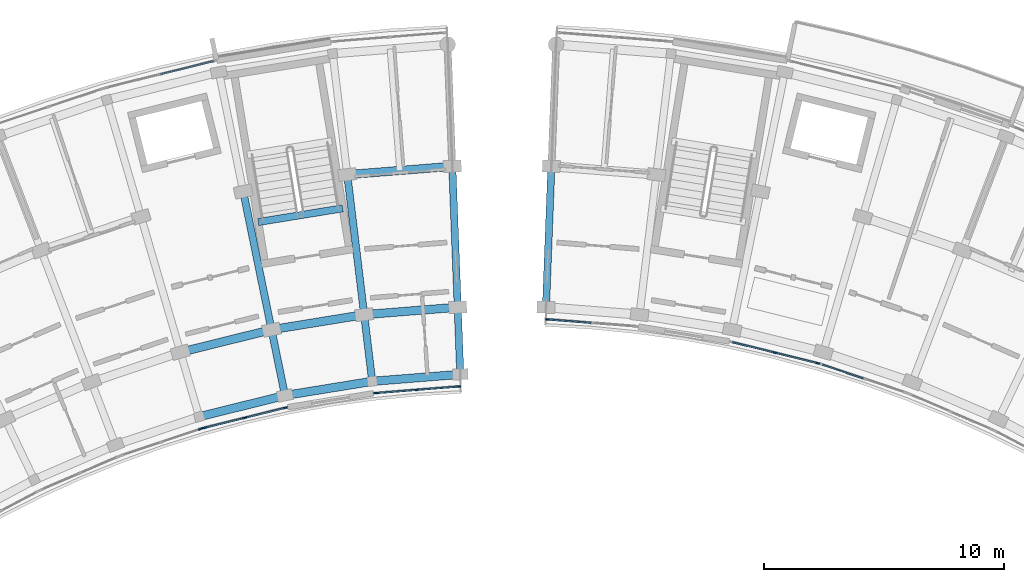
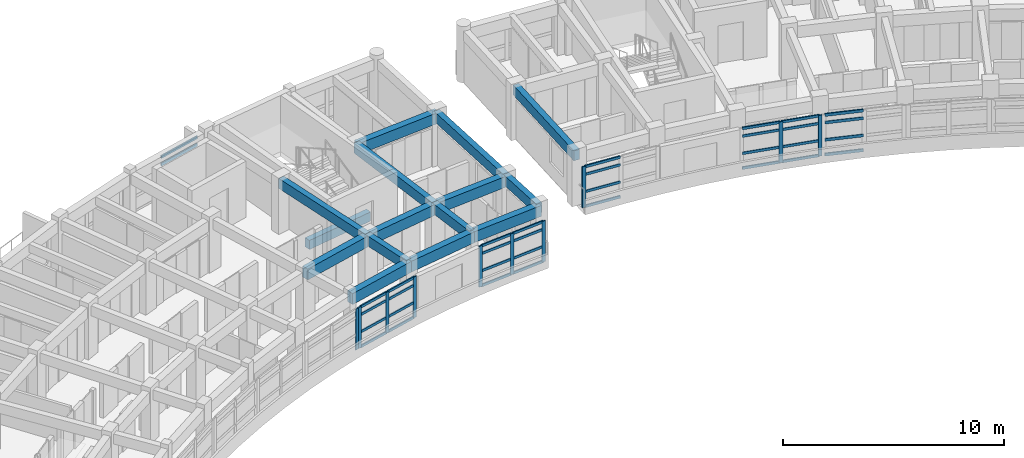
# One storey, part 12 of 40: 44 members, 15 beams, 7 elements without a shape of their own.
"""IFC4 building model written with IfcOpenShell, lengths in metres."""

import ifcopenshell
import ifcopenshell.guid

model = None  # the IFC model being written
_history = None  # IfcOwnerHistory: only IFC2X3 demands one
_inside = {}  # id of a spatial element -> (the spatial element, [elements in it])
_under = {}  # id of a project, library or spatial element -> (it, [spatial elements below it])
_declared = {}  # id of a project -> (the project, [libraries it declares])
_typed = {}  # id of a type object -> (the type object, [elements of that type])
_made_of = {}  # id of a material, layer set ... -> (it, [elements and type objects made of it])


def new_model(schema):
    """Start an empty IFC model of exactly this schema.

    Asked for "IFC4X3", IfcOpenShell would pick the latest addendum, in which some entities
    have other attributes; the version numbers below select the first issue.
    IFC2X3 requires an IfcOwnerHistory on every rooted entity: one is made here for all.
    """
    global model, _history
    if schema == "IFC4X3":
        model = ifcopenshell.file(schema_version=(4, 3, 0, 0))
    else:
        model = ifcopenshell.file(schema=schema)
    _inside.clear()
    _under.clear()
    _declared.clear()
    _typed.clear()
    _made_of.clear()
    _history = None
    if model.schema == "IFC2X3":
        org = make("IfcOrganization", Name="unknown")
        user = make(
            "IfcPersonAndOrganization",
            ThePerson=make("IfcPerson", FamilyName="unknown"),
            TheOrganization=org,
        )
        app = make(
            "IfcApplication",
            ApplicationDeveloper=org,
            Version="unknown",
            ApplicationFullName="unknown",
            ApplicationIdentifier="unknown",
        )
        _history = make(
            "IfcOwnerHistory",
            OwningUser=user,
            OwningApplication=app,
            ChangeAction="ADDED",
            CreationDate=0,
        )
    return model


def make(cls, **values):
    """One entity of the class cls with the attributes given. An attribute that is None is left unset."""
    return model.create_entity(
        cls, **{name: value for name, value in values.items() if value is not None}
    )


def rooted(cls, **values):
    """An entity with a GlobalId (a new one), such as an element, a storey or a relation."""
    return make(cls, GlobalId=ifcopenshell.guid.new(), OwnerHistory=_history, **values)


def si_unit(unit_type, name, prefix=None):
    """IfcSIUnit, for example si_unit("LENGTHUNIT", "METRE", prefix="MILLI")."""
    return make("IfcSIUnit", UnitType=unit_type, Prefix=prefix, Name=name)


def assignment(units):
    """IfcUnitAssignment: the units of a project."""
    return None if units is None else make("IfcUnitAssignment", Units=units)


def point(xyz):
    """IfcCartesianPoint."""
    return None if xyz is None else make("IfcCartesianPoint", Coordinates=xyz)


def direction(xyz):
    """IfcDirection."""
    return None if xyz is None else make("IfcDirection", DirectionRatios=xyz)


def frame(location, z_axis=None, x_axis=None):
    """IfcAxis2Placement3D, a coordinate frame: its origin and axes. An axis left out is left unset."""
    return make(
        "IfcAxis2Placement3D",
        Location=point(location),
        Axis=direction(z_axis),
        RefDirection=direction(x_axis),
    )


def frame_2d(location, x_axis=None):
    """IfcAxis2Placement2D, a coordinate frame in the plane: its origin and x axis."""
    return make(
        "IfcAxis2Placement2D", Location=point(location), RefDirection=direction(x_axis)
    )


def origin():
    """The frame at (0, 0, 0) with its axes left unset."""
    return frame((0.0, 0.0, 0.0))


def origin_2d():
    """The frame at (0, 0) in the plane with its x axis left unset."""
    return frame_2d((0.0, 0.0))


def place(relative_to, where):
    """IfcLocalPlacement: puts the frame where relative to a parent placement (None: the world)."""
    return make(
        "IfcLocalPlacement", PlacementRelTo=relative_to, RelativePlacement=where
    )


def context(
    kind, dimensions, precision=None, world=None, true_north=None, identifier=None
):
    """IfcGeometricRepresentationContext, for example the 3D "Model" context."""
    return make(
        "IfcGeometricRepresentationContext",
        ContextIdentifier=identifier,
        ContextType=kind,
        CoordinateSpaceDimension=dimensions,
        Precision=precision,
        WorldCoordinateSystem=world,
        TrueNorth=true_north,
    )


def subcontext(parent, identifier, kind, view, scale=None):
    """IfcGeometricRepresentationSubContext, for example "Body" below "Model"."""
    return make(
        "IfcGeometricRepresentationSubContext",
        ContextIdentifier=identifier,
        ContextType=kind,
        ParentContext=parent,
        TargetScale=scale,
        TargetView=view,
    )


def project(units=None, contexts=None):
    """IfcProject with its units and contexts."""
    return rooted(
        "IfcProject",
        Name="project",
        RepresentationContexts=contexts,
        UnitsInContext=assignment(units),
    )


def spatial(cls, under=None, at=None, **own):
    """A site, building, storey or space (cls), placed at a placement, below another one or the project."""
    s = rooted(cls, ObjectPlacement=at, **own)
    if under is not None:
        _under.setdefault(under.id(), (under, []))[1].append(s)
    return s


def profile(cls, at=None, kind="AREA", **sizes):
    """A parametric profile (cls). Its sizes go by their IFC names, for example OverallWidth=200.0."""
    return make(cls, ProfileType=kind, Position=at, **sizes)


def rectangle(**sizes):
    """IfcRectangleProfileDef."""
    return profile("IfcRectangleProfileDef", **sizes)


def extrude(swept, where, along, depth):
    """IfcExtrudedAreaSolid: the profile swept, set in the frame where, extruded along a direction by depth."""
    return make(
        "IfcExtrudedAreaSolid",
        SweptArea=swept,
        Position=where,
        ExtrudedDirection=direction(along),
        Depth=depth,
    )


def shape(context_of_items, identifier, shape_type, items):
    """IfcShapeRepresentation: the items that make up one representation, for example the "Body"."""
    return make(
        "IfcShapeRepresentation",
        ContextOfItems=context_of_items,
        RepresentationIdentifier=identifier,
        RepresentationType=shape_type,
        Items=items,
    )


def material(Name=None, Category=None):
    """IfcMaterial."""
    return make("IfcMaterial", Name=Name, Category=Category)


def material_profile(
    of_material, cross_section, Name=None, Category=None, Priority=None
):
    """IfcMaterialProfile: a cross section and its material."""
    return make(
        "IfcMaterialProfile",
        Name=Name,
        Material=of_material,
        Profile=cross_section,
        Priority=Priority,
        Category=Category,
    )


def profile_set(profiles, Name=None, composite=None):
    """IfcMaterialProfileSet."""
    return make(
        "IfcMaterialProfileSet",
        Name=Name,
        MaterialProfiles=profiles,
        CompositeProfile=composite,
    )


def made_of(thing, what):
    """Note that an element or type object is made of a material, layer set ...; save() writes the relation."""
    if what is not None:
        _made_of.setdefault(what.id(), (what, []))[1].append(thing)
    return thing


def type_object(cls, material=None, **own):
    """A type object (cls), such as IfcWallType, which elements share."""
    return made_of(rooted(cls, **own), material)


def element(
    cls,
    number,
    at=None,
    inside=None,
    cuts=None,
    type_object=None,
    material=None,
    context=None,
    identifier="Body",
    shape_type=None,
    held_by="IfcProductDefinitionShape",
    body=None,
    shapes=None,
    **own,
):
    """One element of the class cls, such as IfcWall. Its Tag is "e" and its number.

    at: its placement. inside: the storey or other place that contains it. cuts: it is an
    opening in that element (IfcRelVoidsElement). A single representation is given by context,
    identifier, shape_type and body (its items); several are given by shapes. held_by: the class
    of the entity that holds the representations. save() writes the other relations.
    """
    e = rooted(cls, Tag="e%d" % number, ObjectPlacement=at, **own)
    if body is not None:
        shapes = [shape(context, identifier, shape_type, body)]
    if shapes is not None:
        e.Representation = make(held_by, Representations=shapes)
    if inside is not None:
        _inside.setdefault(inside.id(), (inside, []))[1].append(e)
    if cuts is not None:
        rooted(
            "IfcRelVoidsElement", RelatingBuildingElement=cuts, RelatedOpeningElement=e
        )
    if type_object is not None:
        _typed.setdefault(type_object.id(), (type_object, []))[1].append(e)
    return made_of(e, material)


def aggregate(whole, parts):
    """IfcRelAggregates: a whole, such as a stair, and the parts it consists of."""
    return rooted("IfcRelAggregates", RelatingObject=whole, RelatedObjects=parts)


def save(model, path):
    """Write the relations noted so far, then the file.

    IfcRelAggregates (storeys below a building ...), IfcRelContainedInSpatialStructure (elements
    in a storey), IfcRelDefinesByType, IfcRelAssociatesMaterial and IfcRelDeclares: one each for
    every whole, place, type object, material and project.
    """
    for whole, parts in _under.values():
        aggregate(whole, parts)
    for where, things in _inside.values():
        rooted(
            "IfcRelContainedInSpatialStructure",
            RelatedElements=things,
            RelatingStructure=where,
        )
    for kind, things in _typed.values():
        rooted("IfcRelDefinesByType", RelatedObjects=things, RelatingType=kind)
    for what, things in _made_of.values():
        rooted("IfcRelAssociatesMaterial", RelatedObjects=things, RelatingMaterial=what)
    for by, libraries in _declared.values():
        rooted("IfcRelDeclares", RelatingContext=by, RelatedDefinitions=libraries)
    model.write(path)


model = new_model("IFC4")

# Units and contexts
model_context = context("Model", 3, precision=1e-05, world=origin(), true_north=direction((0.0, 1.0)))
body_context = subcontext(model_context, "Body", "Model", "MODEL_VIEW")
ifc_project = project(units=[si_unit("LENGTHUNIT", "METRE"), si_unit("AREAUNIT", "SQUARE_METRE"), si_unit("VOLUMEUNIT", "CUBIC_METRE"), si_unit("PLANEANGLEUNIT", "RADIAN"), si_unit("MASSUNIT", "GRAM", prefix="KILO")], contexts=[model_context])

# Site, building, storey
site_placement = place(None, origin())
site = spatial("IfcSite", under=ifc_project, at=site_placement, CompositionType="ELEMENT")
building_placement = place(site_placement, origin())
building = spatial("IfcBuilding", under=site, at=building_placement, Name="Zimvara Arc Housing Community", CompositionType="ELEMENT")
storey_placement = place(building_placement, frame((0.0, 0.0, 32.89990234375)))
storey = spatial("IfcBuildingStorey", under=building, at=storey_placement, Name="L10", CompositionType="ELEMENT", Elevation=32.89990234375)

# Beams
ifc_material_1 = material(Name="Concrete C40/50", Category="concrete")
ifc_material_profile_1 = material_profile(ifc_material_1, rectangle(XDim=0.300048828125, YDim=0.5, at=origin_2d()), Name="RC 300x500")
ifc_profile_set_1 = profile_set([ifc_material_profile_1], Name="Concrete C40/50")
beam_type_1 = type_object("IfcBeamType", Name="BM-RC-300x500", PredefinedType="BEAM", material=ifc_profile_set_1)
beam_1_placement = place(storey_placement, frame((38.3662109375, 96.509033203125, -0.25), z_axis=(-0.987080057935, -0.160227835371, 0.0), x_axis=(0.160227835371, -0.987080057935, 0.0)))
element("IfcBeam", 1, at=beam_1_placement, inside=storey, type_object=beam_type_1, Name="bm:stair_trim:ST-A2:L10:near", PredefinedType="BEAM", context=body_context, shape_type="SweptSolid", body=[
    extrude(rectangle(XDim=0.300048828125, YDim=0.5, at=origin_2d()), origin(), (0.0, 0.0, 1.0), 3.570068359375),
])
ifc_material_2 = material(Name="Concrete C40/50", Category="concrete")
ifc_material_profile_2 = material_profile(ifc_material_2, rectangle(XDim=0.300048828125, YDim=0.550048828125, at=origin_2d()), Name="RC 300x550")
ifc_profile_set_2 = profile_set([ifc_material_profile_2], Name="Concrete C40/50")
beam_type_2 = type_object("IfcBeamType", Name="BM-RC-300x550", PredefinedType="BEAM", material=ifc_profile_set_2)
beam_2_placement = place(storey_placement, frame((35.958251953125, 88.704833984375, 2.585205078125), z_axis=(-0.20037341071, 0.979719600845, 0.0), x_axis=(-0.979719600845, -0.20037341071, 0.0)))
element("IfcBeam", 2, at=beam_2_placement, inside=storey, type_object=beam_type_2, Name="bm:blkA:L10:rad:b8:r01", PredefinedType="BEAM", context=body_context, shape_type="SweptSolid", body=[
    extrude(rectangle(XDim=0.300048828125, YDim=0.550048828125, at=origin_2d()), origin(), (0.0, 0.0, 1.0), 2.800048828125),
])
beam_3_placement = place(storey_placement, frame((35.397216796875, 91.447998046875, 2.585205078125), z_axis=(-0.200417973989, 0.979710485655, 0.0), x_axis=(-0.979710485655, -0.200417973989, 0.0)))
element("IfcBeam", 3, at=beam_3_placement, inside=storey, type_object=beam_type_2, Name="bm:blkA:L10:rad:b8:r12", PredefinedType="BEAM", context=body_context, shape_type="SweptSolid", body=[
    extrude(rectangle(XDim=0.300048828125, YDim=0.550048828125, at=origin_2d()), origin(), (0.0, 0.0, 1.0), 5.880126953125),
])
beam_4_placement = place(storey_placement, frame((39.594970703125, 89.295166015625, 2.585205078125), z_axis=(-0.119719398078, 0.992807768767, 0.0), x_axis=(-0.992807768767, -0.119719398078, 0.0)))
element("IfcBeam", 4, at=beam_4_placement, inside=storey, type_object=beam_type_2, Name="bm:blkA:L10:rad:b9:r01", PredefinedType="BEAM", context=body_context, shape_type="SweptSolid", body=[
    extrude(rectangle(XDim=0.300048828125, YDim=0.550048828125, at=origin_2d()), origin(), (0.0, 0.0, 1.0), 2.7998046875),
])
beam_5_placement = place(storey_placement, frame((39.259765625, 92.074951171875, 2.585205078125), z_axis=(-0.119827921695, 0.992794676246, 0.0), x_axis=(-0.992794676246, -0.119827921695, 0.0)))
element("IfcBeam", 5, at=beam_5_placement, inside=storey, type_object=beam_type_2, Name="bm:blkA:L10:rad:b9:r12", PredefinedType="BEAM", context=body_context, shape_type="SweptSolid", body=[
    extrude(rectangle(XDim=0.300048828125, YDim=0.550048828125, at=origin_2d()), origin(), (0.0, 0.0, 1.0), 5.880126953125),
])
beam_6_placement = place(storey_placement, frame((43.267822265625, 89.586669921875, 2.585205078125), z_axis=(-0.038362804793, 0.999263876665, 0.0), x_axis=(-0.999263876665, -0.038362804793, 0.0)))
element("IfcBeam", 6, at=beam_6_placement, inside=storey, type_object=beam_type_2, Name="bm:blkA:L10:rad:b10:r01", PredefinedType="BEAM", context=body_context, shape_type="SweptSolid", body=[
    extrude(rectangle(XDim=0.300048828125, YDim=0.550048828125, at=origin_2d()), origin(), (0.0, 0.0, 1.0), 2.800048828125),
])
for number, where, z_axis, x_axis, name in (
    (7, (43.160400390625, 92.384765625, 2.585205078125), (-0.038366147405, 0.999263748333, 0.0), (-0.999263748333, -0.038366147405, 0.0), "bm:blkA:L10:rad:b10:r12"),
    (8, (46.839599609375, 92.384765625, 2.585205078125), (0.038366147405, 0.999263748333, 0.0), (-0.999263748333, 0.038366147405, 0.0), "bm:blkB:L10:rad:b0:r12"),
):
    element("IfcBeam", number, at=place(storey_placement, frame(where, z_axis=z_axis, x_axis=x_axis)), inside=storey, type_object=beam_type_2, Name=name, PredefinedType="BEAM", context=body_context, shape_type="SweptSolid", body=[
        extrude(rectangle(XDim=0.300048828125, YDim=0.550048828125, at=origin_2d()), origin(), (0.0, 0.0, 1.0), 5.8798828125),
    ])
ifc_material_3 = material(Name="Concrete C40/50", Category="concrete")
ifc_material_profile_3 = material_profile(ifc_material_3, rectangle(XDim=0.35009765625, YDim=0.60009765625, at=origin_2d()), Name="RC 350x600")
ifc_profile_set_3 = profile_set([ifc_material_profile_3], Name="Concrete C40/50")
beam_type_3 = type_object("IfcBeamType", Name="BM-RC-350x600", PredefinedType="BEAM", material=ifc_profile_set_3)
beam_7_placement = place(storey_placement, frame((32.381591796875, 87.819580078125, 2.56005859375), z_axis=(0.970708886215, 0.240258731837, 0.0), x_axis=(-0.240258731837, 0.970708886215, 0.0)))
element("IfcBeam", 9, at=beam_7_placement, inside=storey, type_object=beam_type_3, Name="bm:blkA:L10:chord:r0:b7", PredefinedType="BEAM", context=body_context, shape_type="SweptSolid", body=[
    extrude(rectangle(XDim=0.35009765625, YDim=0.60009765625, at=origin_2d()), origin(), (0.0, 0.0, 1.0), 3.6845703125),
])
for number, where, z_axis, x_axis, name in (
    (10, (35.958251953125, 88.704833984375, 2.56005859375), (0.987079996944, 0.160228211104, 0.0), (-0.160228211104, 0.987079996944, 0.0), "bm:blkA:L10:chord:r0:b8"),
    (11, (39.594970703125, 89.295166015625, 2.56005859375), (0.996865226667, 0.079118391428, 0.0), (-0.079118391428, 0.996865226667, 0.0), "bm:blkA:L10:chord:r0:b9"),
):
    element("IfcBeam", number, at=place(storey_placement, frame(where, z_axis=z_axis, x_axis=x_axis)), inside=storey, type_object=beam_type_3, Name=name, PredefinedType="BEAM", context=body_context, shape_type="SweptSolid", body=[
        extrude(rectangle(XDim=0.35009765625, YDim=0.60009765625, at=origin_2d()), origin(), (0.0, 0.0, 1.0), 3.684326171875),
    ])
for number, where, z_axis, x_axis, name in (
    (12, (31.5986328125, 90.5078125, 2.56005859375), (0.970708671682, 0.240259598602, 0.0), (-0.240259598602, 0.970708671682, 0.0), "bm:blkA:L10:chord:r1:b7"),
    (13, (35.397216796875, 91.447998046875, 2.56005859375), (0.987081487371, 0.160219029111, 0.0), (-0.160219029111, 0.987081487371, 0.0), "bm:blkA:L10:chord:r1:b8"),
):
    element("IfcBeam", number, at=place(storey_placement, frame(where, z_axis=z_axis, x_axis=x_axis)), inside=storey, type_object=beam_type_3, Name=name, PredefinedType="BEAM", context=body_context, shape_type="SweptSolid", body=[
        extrude(rectangle(XDim=0.35009765625, YDim=0.60009765625, at=origin_2d()), origin(), (0.0, 0.0, 1.0), 3.9130859375),
    ])
beam_8_placement = place(storey_placement, frame((39.259765625, 92.074951171875, 2.56005859375), z_axis=(0.99686054795, 0.079177319606, 0.0), x_axis=(-0.079177319606, 0.99686054795, 0.0)))
element("IfcBeam", 14, at=beam_8_placement, inside=storey, type_object=beam_type_3, Name="bm:blkA:L10:chord:r1:b9", PredefinedType="BEAM", context=body_context, shape_type="SweptSolid", body=[
    extrude(rectangle(XDim=0.35009765625, YDim=0.60009765625, at=origin_2d()), origin(), (0.0, 0.0, 1.0), 3.912841796875),
])
beam_9_placement = place(storey_placement, frame((38.55517578125, 97.91259765625, 2.56005859375), z_axis=(0.996864209836, 0.079131202119, 0.0), x_axis=(-0.079131202119, 0.996864209836, 0.0)))
element("IfcBeam", 15, at=beam_9_placement, inside=storey, type_object=beam_type_3, Name="bm:blkA:L10:chord:r2:b9", PredefinedType="BEAM", context=body_context, shape_type="SweptSolid", body=[
    extrude(rectangle(XDim=0.35009765625, YDim=0.60009765625, at=origin_2d()), origin(), (0.0, 0.0, 1.0), 4.393310546875),
])

# Curtain wall, member
ifc_material_4 = material(Name="Anodised Aluminium AW-6063", Category="aluminium")
curtain_wall_type_1 = type_object("IfcCurtainWallType", Name="CW-SYS-02", PredefinedType="USERDEFINED", material=ifc_material_4)
curtain_wall_1_placement = place(storey_placement, origin())
curtain_wall_1 = element("IfcCurtainWall", 16, at=curtain_wall_1_placement, inside=storey, type_object=curtain_wall_type_1, Name="cw:blkA:L10:in:b6", ObjectType="CURTAIN WALL", PredefinedType="USERDEFINED")
ifc_material_5 = material(Name="Anodised Aluminium AW-6063", Category="aluminium")
ifc_material_profile_4 = material_profile(ifc_material_5, rectangle(XDim=0.06494140625, YDim=0.179931640625, at=origin_2d()), Name="ALU 65x180")
ifc_profile_set_4 = profile_set([ifc_material_profile_4], Name="Anodised Aluminium AW-6063")
member_type_1 = type_object("IfcMemberType", Name="CWM-65x150", PredefinedType="MULLION", material=ifc_profile_set_4)
member_1_placement = place(storey_placement, frame((32.433837890625, 87.31005859375, 0.0), z_axis=(0.0, 0.0, 1.0), x_axis=(-0.318630249383, 0.94787908732, 0.0)))
member_1 = element("IfcMember", 17, at=member_1_placement, type_object=member_type_1, Name="CW02 mullion 3", PredefinedType="MULLION", context=body_context, shape_type="SweptSolid", body=[
    extrude(rectangle(XDim=0.06494140625, YDim=0.179931640625, at=origin_2d()), origin(), (0.0, 0.0, 1.0), 2.25),
])
aggregate(curtain_wall_1, [member_1])

# Curtain wall, members
ifc_material_6 = material(Name="Anodised Aluminium AW-6063", Category="aluminium")
curtain_wall_type_2 = type_object("IfcCurtainWallType", Name="CW-SYS-04", PredefinedType="USERDEFINED", material=ifc_material_6)
curtain_wall_2_placement = place(storey_placement, origin())
curtain_wall_2 = element("IfcCurtainWall", 18, at=curtain_wall_2_placement, inside=storey, type_object=curtain_wall_type_2, Name="cw:blkA:L10:in:b7", ObjectType="CURTAIN WALL", PredefinedType="USERDEFINED")
member_2_placement = place(storey_placement, frame((32.611328125, 87.36181640625, 0.0), z_axis=(0.0, 0.0, 1.0), x_axis=(-0.240227815706, 0.970716537698, 0.0)))
member_2 = element("IfcMember", 19, at=member_2_placement, type_object=member_type_1, Name="CW04 mullion 1", PredefinedType="MULLION", context=body_context, shape_type="SweptSolid", body=[
    extrude(rectangle(XDim=0.06494140625, YDim=0.179931640625, at=origin_2d()), origin(), (0.0, 0.0, 1.0), 2.25),
])
member_3_placement = place(storey_placement, frame((34.2900390625, 87.77734375, 0.0), z_axis=(0.0, 0.0, 1.0), x_axis=(-0.240227815706, 0.970716537698, 0.0)))
member_3 = element("IfcMember", 20, at=member_3_placement, type_object=member_type_1, Name="CW04 mullion 2", PredefinedType="MULLION", context=body_context, shape_type="SweptSolid", body=[
    extrude(rectangle(XDim=0.06494140625, YDim=0.179931640625, at=origin_2d()), origin(), (0.0, 0.0, 1.0), 2.25),
])
member_4_placement = place(storey_placement, frame((35.96875, 88.192626953125, 0.0), z_axis=(0.0, 0.0, 1.0), x_axis=(-0.240227815706, 0.970716537698, 0.0)))
member_4 = element("IfcMember", 21, at=member_4_placement, type_object=member_type_1, Name="CW04 mullion 3", PredefinedType="MULLION", context=body_context, shape_type="SweptSolid", body=[
    extrude(rectangle(XDim=0.06494140625, YDim=0.179931640625, at=origin_2d()), origin(), (0.0, 0.0, 1.0), 2.25),
])

ifc_material_7 = material(Name="Anodised Aluminium AW-6063", Category="aluminium")
curtain_wall_type_3 = type_object("IfcCurtainWallType", Name="CW-SYS-06", PredefinedType="USERDEFINED", material=ifc_material_7)
curtain_wall_3_placement = place(storey_placement, origin())
curtain_wall_3 = element("IfcCurtainWall", 22, at=curtain_wall_3_placement, inside=storey, type_object=curtain_wall_type_3, Name="cw:blkA:L10:in:b9", ObjectType="CURTAIN WALL", PredefinedType="USERDEFINED")
member_5_placement = place(storey_placement, frame((39.7470703125, 88.805908203125, 0.0), z_axis=(0.0, 0.0, 1.0), x_axis=(-0.079154709897, 0.996862343506, 0.0)))
member_5 = element("IfcMember", 23, at=member_5_placement, type_object=member_type_1, Name="CW06 mullion 1", PredefinedType="MULLION", context=body_context, shape_type="SweptSolid", body=[
    extrude(rectangle(XDim=0.06494140625, YDim=0.179931640625, at=origin_2d()), origin(), (0.0, 0.0, 1.0), 2.25),
])
member_6_placement = place(storey_placement, frame((41.470947265625, 88.94287109375, 0.0), z_axis=(0.0, 0.0, 1.0), x_axis=(-0.079154709897, 0.996862343506, 0.0)))
member_6 = element("IfcMember", 24, at=member_6_placement, type_object=member_type_1, Name="CW06 mullion 2", PredefinedType="MULLION", context=body_context, shape_type="SweptSolid", body=[
    extrude(rectangle(XDim=0.06494140625, YDim=0.179931640625, at=origin_2d()), origin(), (0.0, 0.0, 1.0), 2.25),
])
member_7_placement = place(storey_placement, frame((43.19482421875, 89.079833984375, 0.0), z_axis=(0.0, 0.0, 1.0), x_axis=(-0.079154709897, 0.996862343506, 0.0)))
member_7 = element("IfcMember", 25, at=member_7_placement, type_object=member_type_1, Name="CW06 mullion 3", PredefinedType="MULLION", context=body_context, shape_type="SweptSolid", body=[
    extrude(rectangle(XDim=0.06494140625, YDim=0.179931640625, at=origin_2d()), origin(), (0.0, 0.0, 1.0), 2.25),
])

# Curtain wall, member
ifc_material_8 = material(Name="Anodised Aluminium AW-6063", Category="aluminium")
curtain_wall_type_4 = type_object("IfcCurtainWallType", Name="CW-SYS-08", PredefinedType="USERDEFINED", material=ifc_material_8)
curtain_wall_4_placement = place(storey_placement, origin())
curtain_wall_4 = element("IfcCurtainWall", 26, at=curtain_wall_4_placement, inside=storey, type_object=curtain_wall_type_4, Name="cw:blkB:L10:in:b0", ObjectType="CURTAIN WALL", PredefinedType="USERDEFINED")
member_8_placement = place(storey_placement, frame((46.91259765625, 91.877685546875, 0.0), z_axis=(0.0, 0.0, 1.0), x_axis=(0.079155101851, 0.996862312384, 0.0)))
member_8 = element("IfcMember", 27, at=member_8_placement, type_object=member_type_1, Name="CW08 mullion 1", PredefinedType="MULLION", context=body_context, shape_type="SweptSolid", body=[
    extrude(rectangle(XDim=0.06494140625, YDim=0.179931640625, at=origin_2d()), origin(), (0.0, 0.0, 1.0), 2.25),
])

# Curtain wall, members
curtain_wall_5_placement = place(storey_placement, origin())
curtain_wall_5 = element("IfcCurtainWall", 28, at=curtain_wall_5_placement, inside=storey, type_object=curtain_wall_type_1, Name="cw:blkB:L10:in:b2", ObjectType="CURTAIN WALL", PredefinedType="USERDEFINED")
member_9_placement = place(storey_placement, frame((56.382080078125, 90.492919921875, 0.0), z_axis=(0.0, 0.0, 1.0), x_axis=(0.240229186313, 0.970716198507, 0.0)))
member_9 = element("IfcMember", 29, at=member_9_placement, type_object=member_type_1, Name="CW02 mullion 2", PredefinedType="MULLION", context=body_context, shape_type="SweptSolid", body=[
    extrude(rectangle(XDim=0.06494140625, YDim=0.179931640625, at=origin_2d()), origin(), (0.0, 0.0, 1.0), 2.25),
])
member_10_placement = place(storey_placement, frame((58.171630859375, 90.050048828125, 0.0), z_axis=(0.0, 0.0, 1.0), x_axis=(0.240229186313, 0.970716198507, 0.0)))
member_10 = element("IfcMember", 30, at=member_10_placement, type_object=member_type_1, Name="CW02 mullion 3", PredefinedType="MULLION", context=body_context, shape_type="SweptSolid", body=[
    extrude(rectangle(XDim=0.06494140625, YDim=0.179931640625, at=origin_2d()), origin(), (0.0, 0.0, 1.0), 2.25),
])

# Member
ifc_material_9 = material(Name="Anodised Aluminium AW-6063", Category="aluminium")
ifc_material_profile_5 = material_profile(ifc_material_9, rectangle(XDim=0.06494140625, YDim=0.139892578125, at=origin_2d()), Name="ALU 65x140")
ifc_profile_set_5 = profile_set([ifc_material_profile_5], Name="Anodised Aluminium AW-6063")
member_type_2 = type_object("IfcMemberType", Name="CWT-65x120", PredefinedType="USERDEFINED", material=ifc_profile_set_5)
member_11_placement = place(storey_placement, frame((32.642822265625, 87.36962890625, 0.03271484375), z_axis=(0.970700809973, 0.24029135964, 0.0), x_axis=(-0.24029135964, 0.970700809973, 0.0)))
member_11 = element("IfcMember", 31, at=member_11_placement, type_object=member_type_2, Name="CW04 transom 1.1", ObjectType="TRANSOM", PredefinedType="USERDEFINED", context=body_context, shape_type="SweptSolid", body=[
    extrude(rectangle(XDim=0.06494140625, YDim=0.139892578125, at=origin_2d()), origin(), (0.0, 0.0, 1.0), 1.664306640625),
])

member_12_placement = place(storey_placement, frame((32.642822265625, 87.36962890625, 0.85009765625), z_axis=(0.970700809973, 0.24029135964, 0.0), x_axis=(-0.24029135964, 0.970700809973, 0.0)))
member_12 = element("IfcMember", 32, at=member_12_placement, type_object=member_type_2, Name="CW04 transom 1.2", ObjectType="TRANSOM", PredefinedType="USERDEFINED", context=body_context, shape_type="SweptSolid", body=[
    extrude(rectangle(XDim=0.06494140625, YDim=0.139892578125, at=origin_2d()), origin(), (0.0, 0.0, 1.0), 1.664306640625),
])

member_13_placement = place(storey_placement, frame((32.642822265625, 87.36962890625, 1.800048828125), z_axis=(0.970700809973, 0.24029135964, 0.0), x_axis=(-0.24029135964, 0.970700809973, 0.0)))
member_13 = element("IfcMember", 33, at=member_13_placement, type_object=member_type_2, Name="CW04 transom 1.3", ObjectType="TRANSOM", PredefinedType="USERDEFINED", context=body_context, shape_type="SweptSolid", body=[
    extrude(rectangle(XDim=0.06494140625, YDim=0.139892578125, at=origin_2d()), origin(), (0.0, 0.0, 1.0), 1.664306640625),
])

member_14_placement = place(storey_placement, frame((32.642822265625, 87.36962890625, 2.217529296875), z_axis=(0.970700809973, 0.24029135964, 0.0), x_axis=(-0.24029135964, 0.970700809973, 0.0)))
member_14 = element("IfcMember", 34, at=member_14_placement, type_object=member_type_2, Name="CW04 transom 1.4", ObjectType="TRANSOM", PredefinedType="USERDEFINED", context=body_context, shape_type="SweptSolid", body=[
    extrude(rectangle(XDim=0.06494140625, YDim=0.139892578125, at=origin_2d()), origin(), (0.0, 0.0, 1.0), 1.664306640625),
])

member_15_placement = place(storey_placement, frame((34.321533203125, 87.78515625, 0.03271484375), z_axis=(0.970735018799, 0.240153124645, 0.0), x_axis=(-0.240153124645, 0.970735018799, 0.0)))
member_15 = element("IfcMember", 35, at=member_15_placement, type_object=member_type_2, Name="CW04 transom 2.1", ObjectType="TRANSOM", PredefinedType="USERDEFINED", context=body_context, shape_type="SweptSolid", body=[
    extrude(rectangle(XDim=0.06494140625, YDim=0.139892578125, at=origin_2d()), origin(), (0.0, 0.0, 1.0), 1.6640625),
])

member_16_placement = place(storey_placement, frame((34.321533203125, 87.78515625, 0.85009765625), z_axis=(0.970735018799, 0.240153124645, 0.0), x_axis=(-0.240153124645, 0.970735018799, 0.0)))
member_16 = element("IfcMember", 36, at=member_16_placement, type_object=member_type_2, Name="CW04 transom 2.2", ObjectType="TRANSOM", PredefinedType="USERDEFINED", context=body_context, shape_type="SweptSolid", body=[
    extrude(rectangle(XDim=0.06494140625, YDim=0.139892578125, at=origin_2d()), origin(), (0.0, 0.0, 1.0), 1.6640625),
])

member_17_placement = place(storey_placement, frame((34.321533203125, 87.78515625, 1.800048828125), z_axis=(0.970735018799, 0.240153124645, 0.0), x_axis=(-0.240153124645, 0.970735018799, 0.0)))
member_17 = element("IfcMember", 37, at=member_17_placement, type_object=member_type_2, Name="CW04 transom 2.3", ObjectType="TRANSOM", PredefinedType="USERDEFINED", context=body_context, shape_type="SweptSolid", body=[
    extrude(rectangle(XDim=0.06494140625, YDim=0.139892578125, at=origin_2d()), origin(), (0.0, 0.0, 1.0), 1.6640625),
])

member_18_placement = place(storey_placement, frame((34.321533203125, 87.78515625, 2.217529296875), z_axis=(0.970735018799, 0.240153124645, 0.0), x_axis=(-0.240153124645, 0.970735018799, 0.0)))
member_18 = element("IfcMember", 38, at=member_18_placement, type_object=member_type_2, Name="CW04 transom 2.4", ObjectType="TRANSOM", PredefinedType="USERDEFINED", context=body_context, shape_type="SweptSolid", body=[
    extrude(rectangle(XDim=0.06494140625, YDim=0.139892578125, at=origin_2d()), origin(), (0.0, 0.0, 1.0), 1.6640625),
])

aggregate(curtain_wall_2, [member_2, member_3, member_4, member_11, member_12, member_13, member_14, member_15, member_16, member_17, member_18])

member_19_placement = place(storey_placement, frame((39.779541015625, 88.80859375, 0.03271484375), z_axis=(0.99685804311, 0.079208849806, 0.0), x_axis=(-0.079208849806, 0.99685804311, 0.0)))
member_19 = element("IfcMember", 39, at=member_19_placement, type_object=member_type_2, Name="CW06 transom 1.1", ObjectType="TRANSOM", PredefinedType="USERDEFINED", context=body_context, shape_type="SweptSolid", body=[
    extrude(rectangle(XDim=0.06494140625, YDim=0.139892578125, at=origin_2d()), origin(), (0.0, 0.0, 1.0), 1.664306640625),
])

member_20_placement = place(storey_placement, frame((39.779541015625, 88.80859375, 0.85009765625), z_axis=(0.99685804311, 0.079208849806, 0.0), x_axis=(-0.079208849806, 0.99685804311, 0.0)))
member_20 = element("IfcMember", 40, at=member_20_placement, type_object=member_type_2, Name="CW06 transom 1.2", ObjectType="TRANSOM", PredefinedType="USERDEFINED", context=body_context, shape_type="SweptSolid", body=[
    extrude(rectangle(XDim=0.06494140625, YDim=0.139892578125, at=origin_2d()), origin(), (0.0, 0.0, 1.0), 1.664306640625),
])

member_21_placement = place(storey_placement, frame((39.779541015625, 88.80859375, 1.800048828125), z_axis=(0.99685804311, 0.079208849806, 0.0), x_axis=(-0.079208849806, 0.99685804311, 0.0)))
member_21 = element("IfcMember", 41, at=member_21_placement, type_object=member_type_2, Name="CW06 transom 1.3", ObjectType="TRANSOM", PredefinedType="USERDEFINED", context=body_context, shape_type="SweptSolid", body=[
    extrude(rectangle(XDim=0.06494140625, YDim=0.139892578125, at=origin_2d()), origin(), (0.0, 0.0, 1.0), 1.664306640625),
])

member_22_placement = place(storey_placement, frame((39.779541015625, 88.80859375, 2.217529296875), z_axis=(0.99685804311, 0.079208849806, 0.0), x_axis=(-0.079208849806, 0.99685804311, 0.0)))
member_22 = element("IfcMember", 42, at=member_22_placement, type_object=member_type_2, Name="CW06 transom 1.4", ObjectType="TRANSOM", PredefinedType="USERDEFINED", context=body_context, shape_type="SweptSolid", body=[
    extrude(rectangle(XDim=0.06494140625, YDim=0.139892578125, at=origin_2d()), origin(), (0.0, 0.0, 1.0), 1.664306640625),
])

member_23_placement = place(storey_placement, frame((41.50341796875, 88.945556640625, 0.03271484375), z_axis=(0.996869614678, 0.079063084507, 0.0), x_axis=(-0.079063084507, 0.996869614678, 0.0)))
member_23 = element("IfcMember", 43, at=member_23_placement, type_object=member_type_2, Name="CW06 transom 2.1", ObjectType="TRANSOM", PredefinedType="USERDEFINED", context=body_context, shape_type="SweptSolid", body=[
    extrude(rectangle(XDim=0.06494140625, YDim=0.139892578125, at=origin_2d()), origin(), (0.0, 0.0, 1.0), 1.664306640625),
])

member_24_placement = place(storey_placement, frame((41.50341796875, 88.945556640625, 0.85009765625), z_axis=(0.996869614678, 0.079063084507, 0.0), x_axis=(-0.079063084507, 0.996869614678, 0.0)))
member_24 = element("IfcMember", 44, at=member_24_placement, type_object=member_type_2, Name="CW06 transom 2.2", ObjectType="TRANSOM", PredefinedType="USERDEFINED", context=body_context, shape_type="SweptSolid", body=[
    extrude(rectangle(XDim=0.06494140625, YDim=0.139892578125, at=origin_2d()), origin(), (0.0, 0.0, 1.0), 1.664306640625),
])

member_25_placement = place(storey_placement, frame((41.50341796875, 88.945556640625, 1.800048828125), z_axis=(0.996869614678, 0.079063084507, 0.0), x_axis=(-0.079063084507, 0.996869614678, 0.0)))
member_25 = element("IfcMember", 45, at=member_25_placement, type_object=member_type_2, Name="CW06 transom 2.3", ObjectType="TRANSOM", PredefinedType="USERDEFINED", context=body_context, shape_type="SweptSolid", body=[
    extrude(rectangle(XDim=0.06494140625, YDim=0.139892578125, at=origin_2d()), origin(), (0.0, 0.0, 1.0), 1.664306640625),
])

member_26_placement = place(storey_placement, frame((41.50341796875, 88.945556640625, 2.217529296875), z_axis=(0.996869614678, 0.079063084507, 0.0), x_axis=(-0.079063084507, 0.996869614678, 0.0)))
member_26 = element("IfcMember", 46, at=member_26_placement, type_object=member_type_2, Name="CW06 transom 2.4", ObjectType="TRANSOM", PredefinedType="USERDEFINED", context=body_context, shape_type="SweptSolid", body=[
    extrude(rectangle(XDim=0.06494140625, YDim=0.139892578125, at=origin_2d()), origin(), (0.0, 0.0, 1.0), 1.664306640625),
])

aggregate(curtain_wall_3, [member_5, member_6, member_7, member_19, member_20, member_21, member_22, member_23, member_24, member_25, member_26])

member_27_placement = place(storey_placement, frame((46.945068359375, 91.875244140625, 0.03271484375), z_axis=(0.996858342942, -0.079205076271, 0.0), x_axis=(0.079205076271, 0.996858342942, 0.0)))
member_27 = element("IfcMember", 47, at=member_27_placement, type_object=member_type_2, Name="CW08 transom 1.1", ObjectType="TRANSOM", PredefinedType="USERDEFINED", context=body_context, shape_type="SweptSolid", body=[
    extrude(rectangle(XDim=0.06494140625, YDim=0.139892578125, at=origin_2d()), origin(), (0.0, 0.0, 1.0), 1.778564453125),
])

member_28_placement = place(storey_placement, frame((46.945068359375, 91.875244140625, 0.85009765625), z_axis=(0.996858342942, -0.079205076271, 0.0), x_axis=(0.079205076271, 0.996858342942, 0.0)))
member_28 = element("IfcMember", 48, at=member_28_placement, type_object=member_type_2, Name="CW08 transom 1.2", ObjectType="TRANSOM", PredefinedType="USERDEFINED", context=body_context, shape_type="SweptSolid", body=[
    extrude(rectangle(XDim=0.06494140625, YDim=0.139892578125, at=origin_2d()), origin(), (0.0, 0.0, 1.0), 1.778564453125),
])

member_29_placement = place(storey_placement, frame((46.945068359375, 91.875244140625, 1.800048828125), z_axis=(0.996858342942, -0.079205076271, 0.0), x_axis=(0.079205076271, 0.996858342942, 0.0)))
member_29 = element("IfcMember", 49, at=member_29_placement, type_object=member_type_2, Name="CW08 transom 1.3", ObjectType="TRANSOM", PredefinedType="USERDEFINED", context=body_context, shape_type="SweptSolid", body=[
    extrude(rectangle(XDim=0.06494140625, YDim=0.139892578125, at=origin_2d()), origin(), (0.0, 0.0, 1.0), 1.778564453125),
])

member_30_placement = place(storey_placement, frame((46.945068359375, 91.875244140625, 2.217529296875), z_axis=(0.996858342942, -0.079205076271, 0.0), x_axis=(0.079205076271, 0.996858342942, 0.0)))
member_30 = element("IfcMember", 50, at=member_30_placement, type_object=member_type_2, Name="CW08 transom 1.4", ObjectType="TRANSOM", PredefinedType="USERDEFINED", context=body_context, shape_type="SweptSolid", body=[
    extrude(rectangle(XDim=0.06494140625, YDim=0.139892578125, at=origin_2d()), origin(), (0.0, 0.0, 1.0), 1.778564453125),
])

aggregate(curtain_wall_4, [member_8, member_27, member_28, member_29, member_30])

member_31_placement = place(storey_placement, frame((54.6240234375, 90.927978515625, 0.03271484375), z_axis=(0.970721060666, -0.240209538485, 0.0), x_axis=(0.240209538485, 0.970721060666, 0.0)))
member_31 = element("IfcMember", 51, at=member_31_placement, type_object=member_type_2, Name="CW02 transom 1.1", ObjectType="TRANSOM", PredefinedType="USERDEFINED", context=body_context, shape_type="SweptSolid", body=[
    extrude(rectangle(XDim=0.06494140625, YDim=0.139892578125, at=origin_2d()), origin(), (0.0, 0.0, 1.0), 1.778564453125),
])

member_32_placement = place(storey_placement, frame((54.6240234375, 90.927978515625, 0.85009765625), z_axis=(0.970721060666, -0.240209538485, 0.0), x_axis=(0.240209538485, 0.970721060666, 0.0)))
member_32 = element("IfcMember", 52, at=member_32_placement, type_object=member_type_2, Name="CW02 transom 1.2", ObjectType="TRANSOM", PredefinedType="USERDEFINED", context=body_context, shape_type="SweptSolid", body=[
    extrude(rectangle(XDim=0.06494140625, YDim=0.139892578125, at=origin_2d()), origin(), (0.0, 0.0, 1.0), 1.778564453125),
])

member_33_placement = place(storey_placement, frame((54.6240234375, 90.927978515625, 1.800048828125), z_axis=(0.970721060666, -0.240209538485, 0.0), x_axis=(0.240209538485, 0.970721060666, 0.0)))
member_33 = element("IfcMember", 53, at=member_33_placement, type_object=member_type_2, Name="CW02 transom 1.3", ObjectType="TRANSOM", PredefinedType="USERDEFINED", context=body_context, shape_type="SweptSolid", body=[
    extrude(rectangle(XDim=0.06494140625, YDim=0.139892578125, at=origin_2d()), origin(), (0.0, 0.0, 1.0), 1.778564453125),
])

member_34_placement = place(storey_placement, frame((54.6240234375, 90.927978515625, 2.217529296875), z_axis=(0.970721060666, -0.240209538485, 0.0), x_axis=(0.240209538485, 0.970721060666, 0.0)))
member_34 = element("IfcMember", 54, at=member_34_placement, type_object=member_type_2, Name="CW02 transom 1.4", ObjectType="TRANSOM", PredefinedType="USERDEFINED", context=body_context, shape_type="SweptSolid", body=[
    extrude(rectangle(XDim=0.06494140625, YDim=0.139892578125, at=origin_2d()), origin(), (0.0, 0.0, 1.0), 1.778564453125),
])

member_35_placement = place(storey_placement, frame((56.41357421875, 90.485107421875, 0.03271484375), z_axis=(0.970721060666, -0.240209538485, 0.0), x_axis=(0.240209538485, 0.970721060666, 0.0)))
member_35 = element("IfcMember", 55, at=member_35_placement, type_object=member_type_2, Name="CW02 transom 2.1", ObjectType="TRANSOM", PredefinedType="USERDEFINED", context=body_context, shape_type="SweptSolid", body=[
    extrude(rectangle(XDim=0.06494140625, YDim=0.139892578125, at=origin_2d()), origin(), (0.0, 0.0, 1.0), 1.778564453125),
])

member_36_placement = place(storey_placement, frame((56.41357421875, 90.485107421875, 0.85009765625), z_axis=(0.970721060666, -0.240209538485, 0.0), x_axis=(0.240209538485, 0.970721060666, 0.0)))
member_36 = element("IfcMember", 56, at=member_36_placement, type_object=member_type_2, Name="CW02 transom 2.2", ObjectType="TRANSOM", PredefinedType="USERDEFINED", context=body_context, shape_type="SweptSolid", body=[
    extrude(rectangle(XDim=0.06494140625, YDim=0.139892578125, at=origin_2d()), origin(), (0.0, 0.0, 1.0), 1.778564453125),
])

member_37_placement = place(storey_placement, frame((56.41357421875, 90.485107421875, 1.800048828125), z_axis=(0.970721060666, -0.240209538485, 0.0), x_axis=(0.240209538485, 0.970721060666, 0.0)))
member_37 = element("IfcMember", 57, at=member_37_placement, type_object=member_type_2, Name="CW02 transom 2.3", ObjectType="TRANSOM", PredefinedType="USERDEFINED", context=body_context, shape_type="SweptSolid", body=[
    extrude(rectangle(XDim=0.06494140625, YDim=0.139892578125, at=origin_2d()), origin(), (0.0, 0.0, 1.0), 1.778564453125),
])

member_38_placement = place(storey_placement, frame((56.41357421875, 90.485107421875, 2.217529296875), z_axis=(0.970721060666, -0.240209538485, 0.0), x_axis=(0.240209538485, 0.970721060666, 0.0)))
member_38 = element("IfcMember", 58, at=member_38_placement, type_object=member_type_2, Name="CW02 transom 2.4", ObjectType="TRANSOM", PredefinedType="USERDEFINED", context=body_context, shape_type="SweptSolid", body=[
    extrude(rectangle(XDim=0.06494140625, YDim=0.139892578125, at=origin_2d()), origin(), (0.0, 0.0, 1.0), 1.778564453125),
])

aggregate(curtain_wall_5, [member_9, member_10, member_31, member_32, member_33, member_34, member_35, member_36, member_37, member_38])

# Curtain wall, members
ifc_material_10 = material(Name="Anodised Aluminium AW-6063", Category="aluminium")
curtain_wall_type_5 = type_object("IfcCurtainWallType", Name="CW-SYS-03", PredefinedType="USERDEFINED", material=ifc_material_10)
curtain_wall_6_placement = place(storey_placement, origin())
curtain_wall_6 = element("IfcCurtainWall", 59, at=curtain_wall_6_placement, inside=storey, type_object=curtain_wall_type_5, Name="cw:blkA:L10:out:b7", ObjectType="CURTAIN WALL", PredefinedType="USERDEFINED")
ifc_material_11 = material(Name="Anodised Aluminium AW-6063", Category="aluminium")
ifc_material_profile_6 = material_profile(ifc_material_11, rectangle(XDim=0.06494140625, YDim=0.155029296875, at=origin_2d()), Name="ALU 65x155")
ifc_profile_set_6 = profile_set([ifc_material_profile_6], Name="Anodised Aluminium AW-6063")
member_type_3 = type_object("IfcMemberType", Name="CWT-65x140", PredefinedType="USERDEFINED", material=ifc_profile_set_6)
member_39_placement = place(storey_placement, frame((30.77880859375, 102.100830078125, 1.800048828125), z_axis=(0.970703721793, 0.240279596507, 0.0), x_axis=(-0.240279596507, 0.970703721793, 0.0)))
member_39 = element("IfcMember", 60, at=member_39_placement, type_object=member_type_3, Name="CW03 transom 2.3", ObjectType="TRANSOM", PredefinedType="USERDEFINED", context=body_context, shape_type="SweptSolid", body=[
    extrude(rectangle(XDim=0.06494140625, YDim=0.155029296875, at=origin_2d()), origin(), (0.0, 0.0, 1.0), 2.266845703125),
])
member_40_placement = place(storey_placement, frame((30.77880859375, 102.100830078125, 2.217529296875), z_axis=(0.970703721793, 0.240279596507, 0.0), x_axis=(-0.240279596507, 0.970703721793, 0.0)))
member_40 = element("IfcMember", 61, at=member_40_placement, type_object=member_type_3, Name="CW03 transom 2.4", ObjectType="TRANSOM", PredefinedType="USERDEFINED", context=body_context, shape_type="SweptSolid", body=[
    extrude(rectangle(XDim=0.06494140625, YDim=0.155029296875, at=origin_2d()), origin(), (0.0, 0.0, 1.0), 2.266845703125),
])
aggregate(curtain_wall_6, [member_39, member_40])

curtain_wall_7_placement = place(storey_placement, origin())
curtain_wall_7 = element("IfcCurtainWall", 62, at=curtain_wall_7_placement, inside=storey, type_object=curtain_wall_type_5, Name="cw:blkB:L10:in:b3", ObjectType="CURTAIN WALL", PredefinedType="USERDEFINED")
member_41_placement = place(storey_placement, frame((58.380126953125, 89.988037109375, 0.03271484375), z_axis=(0.947884095882, -0.318615349246, 0.0), x_axis=(0.318615349246, 0.947884095882, 0.0)))
member_41 = element("IfcMember", 63, at=member_41_placement, type_object=member_type_3, Name="CW03 transom 1.1", ObjectType="TRANSOM", PredefinedType="USERDEFINED", context=body_context, shape_type="SweptSolid", body=[
    extrude(rectangle(XDim=0.06494140625, YDim=0.155029296875, at=origin_2d()), origin(), (0.0, 0.0, 1.0), 1.778564453125),
])
member_42_placement = place(storey_placement, frame((58.380126953125, 89.988037109375, 0.85009765625), z_axis=(0.947884095882, -0.318615349246, 0.0), x_axis=(0.318615349246, 0.947884095882, 0.0)))
member_42 = element("IfcMember", 64, at=member_42_placement, type_object=member_type_3, Name="CW03 transom 1.2", ObjectType="TRANSOM", PredefinedType="USERDEFINED", context=body_context, shape_type="SweptSolid", body=[
    extrude(rectangle(XDim=0.06494140625, YDim=0.155029296875, at=origin_2d()), origin(), (0.0, 0.0, 1.0), 1.778564453125),
])
member_43_placement = place(storey_placement, frame((58.380126953125, 89.988037109375, 1.800048828125), z_axis=(0.947884095882, -0.318615349246, 0.0), x_axis=(0.318615349246, 0.947884095882, 0.0)))
member_43 = element("IfcMember", 65, at=member_43_placement, type_object=member_type_3, Name="CW03 transom 1.3", ObjectType="TRANSOM", PredefinedType="USERDEFINED", context=body_context, shape_type="SweptSolid", body=[
    extrude(rectangle(XDim=0.06494140625, YDim=0.155029296875, at=origin_2d()), origin(), (0.0, 0.0, 1.0), 1.778564453125),
])
member_44_placement = place(storey_placement, frame((58.380126953125, 89.988037109375, 2.217529296875), z_axis=(0.947884095882, -0.318615349246, 0.0), x_axis=(0.318615349246, 0.947884095882, 0.0)))
member_44 = element("IfcMember", 66, at=member_44_placement, type_object=member_type_3, Name="CW03 transom 1.4", ObjectType="TRANSOM", PredefinedType="USERDEFINED", context=body_context, shape_type="SweptSolid", body=[
    extrude(rectangle(XDim=0.06494140625, YDim=0.155029296875, at=origin_2d()), origin(), (0.0, 0.0, 1.0), 1.778564453125),
])
aggregate(curtain_wall_7, [member_41, member_42, member_43, member_44])

save(model, "model.ifc")
